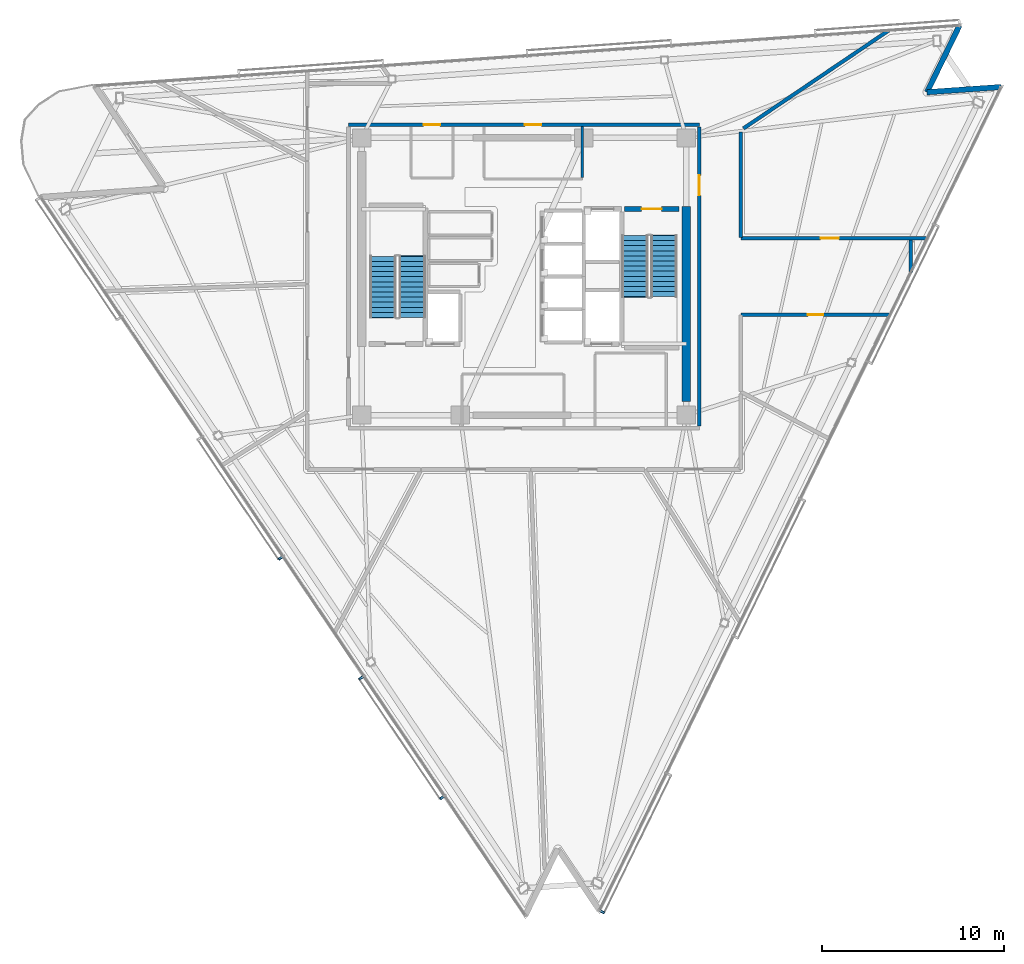
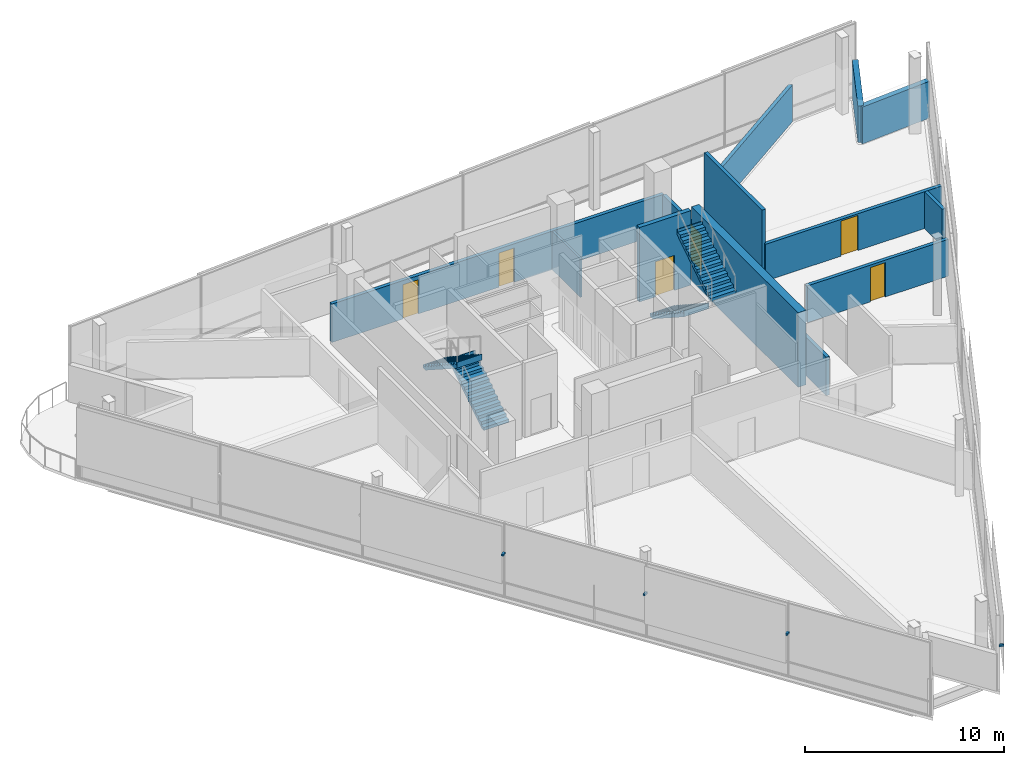
# One storey, part 11 of 16: 12 walls, 6 doors, 4 discrete accessories, 4 stair flights, 6 openings, 2 elements without a shape of their own.
"""IFC4 building model written with IfcOpenShell, lengths in metres."""

from ifc_helpers import new_model, si_unit, direction, frame, frame_2d, origin, origin_2d, place, context, subcontext, project, spatial, polyline, rectangle, outline, extrude, material, layer, layer_set, type_object, element, fill, aggregate, save


model = new_model("IFC4")

# Units and contexts
model_context = context("Model", 3, precision=1e-05, world=origin(), true_north=direction((0.0, 1.0)))
body_context = subcontext(model_context, "Body", "Model", "MODEL_VIEW")
ifc_project = project(units=[si_unit("LENGTHUNIT", "METRE"), si_unit("AREAUNIT", "SQUARE_METRE"), si_unit("VOLUMEUNIT", "CUBIC_METRE"), si_unit("PLANEANGLEUNIT", "RADIAN"), si_unit("MASSUNIT", "GRAM", prefix="KILO")], contexts=[model_context])

# Site, building, storey
site_placement = place(None, origin())
site = spatial("IfcSite", under=ifc_project, at=site_placement, CompositionType="ELEMENT")
building_placement = place(site_placement, origin())
building = spatial("IfcBuilding", under=site, at=building_placement, Name="Tharavind Bronze Gate", CompositionType="ELEMENT")
storey_placement = place(building_placement, frame((0.0, 0.0, 275.0)))
storey = spatial("IfcBuildingStorey", under=building, at=storey_placement, Name="L71", CompositionType="ELEMENT", Elevation=275.0)

# Walls
ifc_material_1 = material(Name="Concrete C40/50", Category="concrete")
ifc_layer_1 = layer(ifc_material_1, 0.300048828125)
ifc_layer_set_1 = layer_set([ifc_layer_1], Name="Concrete C40/50")
wall_type_1 = type_object("IfcWallType", Name="EXTERIOR SPANDREL WALL 300", PredefinedType="STANDARD", material=ifc_layer_set_1)
for number, where, z_axis, x_axis, name in (
    (1, (26.1552734375, 10.388427734375, 0.0), (0.0, 0.0, 1.0), (-0.997565400947, -0.06973715533, 0.0), "L71 notch cheek wall 3A"),
    (2, (22.09716796875, 10.104736328125, 0.0), (0.0, 0.0, 1.0), (0.438405895792, 0.898777097246, 0.0), "L71 notch cheek wall 3B"),
):
    element("IfcWall", number, at=place(storey_placement, frame(where, z_axis=z_axis, x_axis=x_axis)), inside=storey, type_object=wall_type_1, Name=name, PredefinedType="STANDARD", context=body_context, shape_type="SweptSolid", body=[
        extrude(rectangle(XDim=4.068115234375, YDim=0.300048828125, at=frame_2d((2.0341796875, 0.0))), origin(), (0.0, 0.0, 1.0), 2.2548828125),
    ])

# Wall, openings, doors
ifc_material_2 = material(Name="Aerated Concrete Block", Category="concrete")
ifc_layer_2 = layer(ifc_material_2, 0.199951171875)
ifc_layer_set_2 = layer_set([ifc_layer_2], Name="Aerated Concrete Block")
wall_type_2 = type_object("IfcWallType", Name="FIRE RATED PARTITION 200", PredefinedType="PARTITIONING", material=ifc_layer_set_2)
wall_1_placement = place(storey_placement, frame((9.6201171875, 8.320068359375, 0.0), z_axis=(0.0, 0.0, 1.0), x_axis=(-1.0, 0.0, 0.0)))
wall_1 = element("IfcWall", 3, at=wall_1_placement, inside=storey, type_object=wall_type_2, Name="L71 north core corridor wall", PredefinedType="PARTITIONING", context=body_context, shape_type="SweptSolid", body=[
    extrude(rectangle(XDim=19.240234375, YDim=0.199951171875, at=frame_2d((9.6201171875, 0.0))), origin(), (0.0, 0.0, 1.0), 2.35498046875),
])
opening_1_placement = place(wall_1_placement, frame((8.669921875, 0.0, 0.0)))
opening_1 = element("IfcOpeningElement", 4, at=opening_1_placement, cuts=wall_1, Name="Opening ID07", PredefinedType="OPENING", context=body_context, shape_type="SweptSolid", body=[
    extrude(rectangle(XDim=0.89990234375, YDim=2.10009765625, at=frame_2d((0.449951171875, 1.050048828125))), frame((0.0, 0.11009765625, 0.0), z_axis=(0.0, -1.0, 0.0), x_axis=(1.0, 0.0, 0.0)), (0.0, 0.0, 1.0), 0.219951171875),
])
opening_2_placement = place(wall_1_placement, frame((14.219970703125, 0.0, 0.0)))
opening_2 = element("IfcOpeningElement", 5, at=opening_2_placement, cuts=wall_1, Name="Opening ID07", PredefinedType="OPENING", context=body_context, shape_type="SweptSolid", body=[
    extrude(rectangle(XDim=0.89990234375, YDim=2.10009765625, at=frame_2d((0.449951171875, 1.050048828125))), frame((0.0, 0.11009765625, 0.0), z_axis=(0.0, -1.0, 0.0), x_axis=(1.0, 0.0, 0.0)), (0.0, 0.0, 1.0), 0.219951171875),
])
ifc_material_3 = material(Name="Galvanised Fire Steel", Category="steel")
door_type_1 = type_object("IfcDoorType", Name="PLANT AND RISER FIRE DOOR 900X2100", OperationType="SINGLE_SWING_LEFT", PredefinedType="DOOR", material=ifc_material_3)
door_1_placement = place(opening_1_placement, origin())
door_1 = element("IfcDoor", 6, at=door_1_placement, inside=storey, type_object=door_type_1, Name="L71 Core Avionics Room fire door", OperationType="SINGLE_SWING_LEFT", OverallHeight=2.10009765625, OverallWidth=0.89990234375, PredefinedType="DOOR", context=body_context, shape_type="SweptSolid", body=[
    extrude(rectangle(XDim=0.89990234375, YDim=2.10009765625, at=frame_2d((0.449951171875, 1.050048828125))), frame((0.0, 0.02490234375, 0.0), z_axis=(0.0, -1.0, 0.0), x_axis=(1.0, 0.0, 0.0)), (0.0, 0.0, 1.0), 0.050048828125),
])
fill(opening_1, door_1)
door_2_placement = place(opening_2_placement, origin())
door_2 = element("IfcDoor", 7, at=door_2_placement, inside=storey, type_object=door_type_1, Name="L71 Electrical Switch Cupboard fire door", OperationType="SINGLE_SWING_LEFT", OverallHeight=2.10009765625, OverallWidth=0.89990234375, PredefinedType="DOOR", context=body_context, shape_type="SweptSolid", body=[
    extrude(rectangle(XDim=0.89990234375, YDim=2.10009765625, at=frame_2d((0.449951171875, 1.050048828125))), frame((0.0, 0.02490234375, 0.0), z_axis=(0.0, -1.0, 0.0), x_axis=(1.0, 0.0, 0.0)), (0.0, 0.0, 1.0), 0.050048828125),
])
fill(opening_2, door_2)

# Wall, opening, door
wall_2_placement = place(storey_placement, frame((9.6201171875, -8.199951171875, 0.0), z_axis=(0.0, 0.0, 1.0), x_axis=(0.0, 1.0, 0.0)))
wall_2 = element("IfcWall", 8, at=wall_2_placement, inside=storey, type_object=wall_type_2, Name="L71 east core corridor wall", PredefinedType="PARTITIONING", context=body_context, shape_type="SweptSolid", body=[
    extrude(rectangle(XDim=16.39990234375, YDim=0.199951171875, at=frame_2d((8.199951171875, 0.0))), origin(), (0.0, 0.0, 1.0), 2.35498046875),
])
opening_3_placement = place(wall_2_placement, frame((12.64990234375, 0.0, 0.0)))
opening_3 = element("IfcOpeningElement", 9, at=opening_3_placement, cuts=wall_2, Name="Opening ID01", PredefinedType="OPENING", context=body_context, shape_type="SweptSolid", body=[
    extrude(rectangle(XDim=1.10009765625, YDim=2.14990234375, at=frame_2d((0.550048828125, 1.074951171875))), frame((0.0, 0.11009765625, 0.0), z_axis=(0.0, -1.0, 0.0), x_axis=(1.0, 0.0, 0.0)), (0.0, 0.0, 1.0), 0.219951171875),
])
ifc_material_4 = material(Name="Fire-Rated Steel", Category="steel")
door_type_2 = type_object("IfcDoorType", Name="STAIR CORE FIRE DOOR 1100X2150", OperationType="SINGLE_SWING_LEFT", PredefinedType="DOOR", material=ifc_material_4)
door_3_placement = place(opening_3_placement, frame((1.10009765625, 0.0, 0.0), z_axis=(0.0, 0.0, 1.0), x_axis=(-1.0, 0.0, 0.0)))
door_3 = element("IfcDoor", 10, at=door_3_placement, inside=storey, type_object=door_type_2, Name="L71 north east stair lobby fire door", OperationType="SINGLE_SWING_LEFT", OverallHeight=2.14990234375, OverallWidth=1.10009765625, PredefinedType="DOOR", context=body_context, shape_type="SweptSolid", body=[
    extrude(rectangle(XDim=1.10009765625, YDim=2.14990234375, at=frame_2d((0.550048828125, 1.074951171875))), frame((0.0, 0.02490234375, 0.0), z_axis=(0.0, -1.0, 0.0), x_axis=(1.0, 0.0, 0.0)), (0.0, 0.0, 1.0), 0.050048828125),
])
fill(opening_3, door_3)

wall_3_placement = place(storey_placement, frame((11.905029296875, -2.10009765625, 0.0), z_axis=(0.0, 0.0, 1.0), x_axis=(1.0, 0.0, 0.0)))
wall_3 = element("IfcWall", 11, at=wall_3_placement, inside=storey, type_object=wall_type_2, Name="L71 Public Restrooms Block partition", PredefinedType="PARTITIONING", context=body_context, shape_type="SweptSolid", body=[
    extrude(rectangle(XDim=8.1591796875, YDim=0.199951171875, at=frame_2d((4.07958984375, 0.0))), origin(), (0.0, 0.0, 1.0), 2.2548828125),
])
opening_4_placement = place(wall_3_placement, frame((3.655029296875, 0.0, 0.0)))
opening_4 = element("IfcOpeningElement", 12, at=opening_4_placement, cuts=wall_3, Name="Opening ID06", PredefinedType="OPENING", context=body_context, shape_type="SweptSolid", body=[
    extrude(rectangle(XDim=0.85009765625, YDim=2.10009765625, at=frame_2d((0.425048828125, 1.050048828125))), frame((0.0, 0.11009765625, 0.0), z_axis=(0.0, -1.0, 0.0), x_axis=(1.0, 0.0, 0.0)), (0.0, 0.0, 1.0), 0.219951171875),
])
ifc_material_5 = material(Name="Moisture-Resistant Timber", Category="wood")
door_type_3 = type_object("IfcDoorType", Name="BATHROOM PRIVACY DOOR 850X2100", OperationType="SINGLE_SWING_RIGHT", PredefinedType="DOOR", material=ifc_material_5)
door_4_placement = place(opening_4_placement, origin())
door_4 = element("IfcDoor", 13, at=door_4_placement, inside=storey, type_object=door_type_3, Name="L71 Public Restrooms Block door", OperationType="SINGLE_SWING_RIGHT", OverallHeight=2.10009765625, OverallWidth=0.85009765625, PredefinedType="DOOR", context=body_context, shape_type="SweptSolid", body=[
    extrude(rectangle(XDim=0.85009765625, YDim=2.10009765625, at=frame_2d((0.425048828125, 1.050048828125))), frame((0.0, 0.02490234375, 0.0), z_axis=(0.0, -1.0, 0.0), x_axis=(1.0, 0.0, 0.0)), (0.0, 0.0, 1.0), 0.050048828125),
])
fill(opening_4, door_4)

wall_4_placement = place(storey_placement, frame((22.11279296875, 2.10009765625, 0.0), z_axis=(0.0, 0.0, 1.0), x_axis=(-1.0, 0.0, 0.0)))
wall_4 = element("IfcWall", 14, at=wall_4_placement, inside=storey, type_object=wall_type_2, Name="L71 Diplomatic Chancery Office partition", PredefinedType="PARTITIONING", context=body_context, shape_type="SweptSolid", body=[
    extrude(rectangle(XDim=10.207763671875, YDim=0.199951171875, at=frame_2d((5.10400390625, 0.0))), origin(), (0.0, 0.0, 1.0), 2.2548828125),
])
opening_5_placement = place(wall_4_placement, frame((4.85009765625, 0.0, 0.0)))
opening_5 = element("IfcOpeningElement", 15, at=opening_5_placement, cuts=wall_4, Name="Opening ID04", PredefinedType="OPENING", context=body_context, shape_type="SweptSolid", body=[
    extrude(rectangle(XDim=1.0, YDim=2.14990234375, at=frame_2d((0.5, 1.074951171875))), frame((0.0, 0.11009765625, 0.0), z_axis=(0.0, -1.0, 0.0), x_axis=(1.0, 0.0, 0.0)), (0.0, 0.0, 1.0), 0.219951171875),
])
ifc_material_6 = material(Name="Bronze Framed Acoustic Timber", Category="wood")
door_type_4 = type_object("IfcDoorType", Name="OFFICE TENANCY DOOR 1000X2150", OperationType="SINGLE_SWING_RIGHT", PredefinedType="DOOR", material=ifc_material_6)
door_5_placement = place(opening_5_placement, origin())
door_5 = element("IfcDoor", 16, at=door_5_placement, inside=storey, type_object=door_type_4, Name="L71 Diplomatic Chancery Office door", OperationType="SINGLE_SWING_RIGHT", OverallHeight=2.14990234375, OverallWidth=1.0, PredefinedType="DOOR", context=body_context, shape_type="SweptSolid", body=[
    extrude(rectangle(XDim=1.0, YDim=2.14990234375, at=frame_2d((0.5, 1.074951171875))), frame((0.0, 0.02490234375, 0.0), z_axis=(0.0, -1.0, 0.0), x_axis=(1.0, 0.0, 0.0)), (0.0, 0.0, 1.0), 0.050048828125),
])
fill(opening_5, door_5)

# Walls
wall_5_placement = place(storey_placement, frame((11.8798828125, 2.125, 0.0), z_axis=(0.0, 0.0, 1.0), x_axis=(0.0, 1.0, 0.0)))
element("IfcWall", 17, at=wall_5_placement, inside=storey, type_object=wall_type_2, Name="L71 Diplomatic Chancery Office partition", PredefinedType="PARTITIONING", context=body_context, shape_type="SweptSolid", body=[
    extrude(rectangle(XDim=5.811279296875, YDim=0.199951171875, at=frame_2d((2.90576171875, 0.0))), origin(), (0.0, 0.0, 1.0), 4.31494140625),
])
wall_6_placement = place(storey_placement, frame((12.03369140625, 8.11669921875, 0.0), z_axis=(0.0, 0.0, 1.0), x_axis=(0.829033749514, 0.55919857132, 0.0)))
element("IfcWall", 18, at=wall_6_placement, inside=storey, type_object=wall_type_2, Name="L71 Diplomatic Chancery Office partition", PredefinedType="PARTITIONING", context=body_context, shape_type="SweptSolid", body=[
    extrude(rectangle(XDim=9.6015625, YDim=0.199951171875, at=frame_2d((4.80078125, 0.0))), origin(), (0.0, 0.0, 1.0), 2.2548828125),
])
wall_7_placement = place(storey_placement, frame((21.199951171875, 0.228759765625, 0.0), z_axis=(0.0, 0.0, 1.0), x_axis=(0.0, 1.0, 0.0)))
element("IfcWall", 19, at=wall_7_placement, inside=storey, type_object=wall_type_2, Name="L71 Diplomatic Chancery Office partition", PredefinedType="PARTITIONING", context=body_context, shape_type="SweptSolid", body=[
    extrude(rectangle(XDim=1.766357421875, YDim=0.199951171875, at=frame_2d((0.88330078125, 0.0))), origin(), (0.0, 0.0, 1.0), 2.2548828125),
])
ifc_material_7 = material(Name="Metal Stud Gypsum Partition", Category="gypsum")
ifc_layer_3 = layer(ifc_material_7, 0.1201171875)
ifc_layer_set_3 = layer_set([ifc_layer_3], Name="Metal Stud Gypsum Partition")
wall_type_3 = type_object("IfcWallType", Name="INTERIOR PARTITION WALL 120", PredefinedType="PARTITIONING", material=ifc_layer_set_3)
wall_8_placement = place(storey_placement, frame((3.199951171875, 5.4150390625, 0.0), z_axis=(0.0, 0.0, 1.0), x_axis=(0.0, 1.0, 0.0)))
element("IfcWall", 20, at=wall_8_placement, inside=storey, type_object=wall_type_3, Name="L71 Core Avionics Room partition 2", PredefinedType="PARTITIONING", context=body_context, shape_type="SweptSolid", body=[
    extrude(rectangle(XDim=2.800048828125, YDim=0.1201171875, at=frame_2d((1.39990234375, 0.0))), origin(), (0.0, 0.0, 1.0), 2.35498046875),
])

# Wall, opening, door
ifc_material_8 = material(Name="Concrete C50/60", Category="concrete")
ifc_layer_4 = layer(ifc_material_8, 0.25)
ifc_layer_set_4 = layer_set([ifc_layer_4], Name="Concrete C50/60")
wall_type_4 = type_object("IfcWallType", Name="RC CORE SHEAR WALL 250", PredefinedType="SHEAR", material=ifc_layer_set_4)
wall_9_placement = place(storey_placement, frame((5.5, 3.699951171875, 0.0), z_axis=(0.0, 0.0, 1.0), x_axis=(1.0, 0.0, 0.0)))
wall_9 = element("IfcWall", 21, at=wall_9_placement, inside=storey, type_object=wall_type_4, Name="L71 ST2 shaft north wall", PredefinedType="SHEAR", context=body_context, shape_type="SweptSolid", body=[
    extrude(rectangle(XDim=3.0, YDim=0.25, at=frame_2d((1.5, 0.0))), origin(), (0.0, 0.0, 1.0), 4.56005859375),
])
opening_6_placement = place(wall_9_placement, frame((0.949951171875, 0.0, 0.0)))
opening_6 = element("IfcOpeningElement", 22, at=opening_6_placement, cuts=wall_9, Name="Opening ID01", PredefinedType="OPENING", context=body_context, shape_type="SweptSolid", body=[
    extrude(rectangle(XDim=1.10009765625, YDim=2.14990234375, at=frame_2d((0.550048828125, 1.074951171875))), frame((0.0, 0.135, 0.0), z_axis=(0.0, -1.0, 0.0), x_axis=(1.0, 0.0, 0.0)), (0.0, 0.0, 1.0), 0.27),
])
door_6_placement = place(opening_6_placement, frame((1.10009765625, 0.0, 0.0), z_axis=(0.0, 0.0, 1.0), x_axis=(-1.0, 0.0, 0.0)))
door_6 = element("IfcDoor", 23, at=door_6_placement, inside=storey, type_object=door_type_2, Name="L71 exit stair ST2 fire door", OperationType="SINGLE_SWING_LEFT", OverallHeight=2.14990234375, OverallWidth=1.10009765625, PredefinedType="DOOR", context=body_context, shape_type="SweptSolid", body=[
    extrude(rectangle(XDim=1.10009765625, YDim=2.14990234375, at=frame_2d((0.550048828125, 1.074951171875))), frame((0.0, 0.02490234375, 0.0), z_axis=(0.0, -1.0, 0.0), x_axis=(1.0, 0.0, 0.0)), (0.0, 0.0, 1.0), 0.050048828125),
])
fill(opening_6, door_6)

# Wall
ifc_material_9 = material(Name="Concrete C60/75", Category="concrete")
ifc_layer_5 = layer(ifc_material_9, 0.449951171875)
ifc_layer_set_5 = layer_set([ifc_layer_5], Name="Concrete C60/75")
wall_type_5 = type_object("IfcWallType", Name="RC CORE SHEAR WALL 450", PredefinedType="SHEAR", material=ifc_layer_set_5)
wall_10_placement = place(storey_placement, frame((8.89990234375, -6.85009765625, 0.0), z_axis=(0.0, 0.0, 1.0), x_axis=(0.0, 1.0, 0.0)))
element("IfcWall", 24, at=wall_10_placement, inside=storey, type_object=wall_type_5, Name="L71 east core shear wall", PredefinedType="SHEAR", context=body_context, shape_type="SweptSolid", body=[
    extrude(rectangle(XDim=10.7001953125, YDim=0.449951171875, at=frame_2d((5.35009765625, 0.0))), origin(), (0.0, 0.0, 1.0), 4.56005859375),
])

# Stair, stair flights
stair_type = type_object("IfcStairType", Name="CORE HALF TURN STAIR 1450", PredefinedType="HALF_TURN_STAIR", material=ifc_material_1)
stair_1_placement = place(storey_placement, origin())
stair_1 = element("IfcStair", 25, at=stair_1_placement, inside=storey, type_object=stair_type, Name="L71 Protected Exit Stair ST1", PredefinedType="HALF_TURN_STAIR")
stair_flight_type = type_object("IfcStairFlightType", Name="CORE STAIR FLIGHT 1450", PredefinedType="STRAIGHT", material=ifc_material_1)
stair_flight_1_placement = place(storey_placement, frame((-6.125, -2.25, 0.0), z_axis=(0.0, 0.0, 1.0), x_axis=(0.0, 1.0, 0.0)))
stair_flight_1 = element("IfcStairFlight", 26, at=stair_flight_1_placement, type_object=stair_flight_type, Name="ST1 flight 1", NumberOfRisers=13, NumberOfTreads=12, PredefinedType="STRAIGHT", RiserHeight=0.182692308, TreadLength=0.28, context=body_context, shape_type="SweptSolid", body=[
    extrude(outline(polyline([(0.0, 0.0), (0.0, 0.1826171875), (0.280029296875, 0.1826171875), (0.280029296875, 0.365478515625), (0.56005859375, 0.365478515625), (0.56005859375, 0.548095703125), (0.840087890625, 0.548095703125), (0.840087890625, 0.730712890625), (1.1201171875, 0.730712890625), (1.1201171875, 0.91357421875), (1.39990234375, 0.91357421875), (1.39990234375, 1.09619140625), (1.679931640625, 1.09619140625), (1.679931640625, 1.27880859375), (1.9599609375, 1.27880859375), (1.9599609375, 1.46142578125), (2.239990234375, 1.46142578125), (2.239990234375, 1.644287109375), (2.52001953125, 1.644287109375), (2.52001953125, 1.826904296875), (2.800048828125, 1.826904296875), (2.800048828125, 2.009521484375), (3.080078125, 2.009521484375), (3.080078125, 2.1923828125), (3.360107421875, 2.1923828125), (3.360107421875, 2.375), (3.39599609375, 2.375), (3.39599609375, 2.013427734375), (0.2744140625, 0.0), (0.0, 0.0)])), frame((0.0, 0.72509765625, 0.0), z_axis=(0.0, -1.0, 0.0), x_axis=(1.0, 0.0, 0.0)), (0.0, 0.0, 1.0), 1.449951171875),
])
stair_flight_2_placement = place(storey_placement, frame((-7.72509765625, 1.110107421875, 2.375), z_axis=(0.0, 0.0, 1.0), x_axis=(0.0, -1.0, 0.0)))
stair_flight_2 = element("IfcStairFlight", 27, at=stair_flight_2_placement, type_object=stair_flight_type, Name="ST1 flight 2", NumberOfRisers=13, NumberOfTreads=12, PredefinedType="STRAIGHT", RiserHeight=0.182692308, TreadLength=0.28, context=body_context, shape_type="SweptSolid", body=[
    extrude(outline(polyline([(0.0, 0.0), (0.0, 0.1826171875), (0.280029296875, 0.1826171875), (0.280029296875, 0.365478515625), (0.56005859375, 0.365478515625), (0.56005859375, 0.548095703125), (0.840087890625, 0.548095703125), (0.840087890625, 0.730712890625), (1.1201171875, 0.730712890625), (1.1201171875, 0.91357421875), (1.39990234375, 0.91357421875), (1.39990234375, 1.09619140625), (1.679931640625, 1.09619140625), (1.679931640625, 1.27880859375), (1.9599609375, 1.27880859375), (1.9599609375, 1.46142578125), (2.239990234375, 1.46142578125), (2.239990234375, 1.644287109375), (2.52001953125, 1.644287109375), (2.52001953125, 1.826904296875), (2.800048828125, 1.826904296875), (2.800048828125, 2.009521484375), (3.080078125, 2.009521484375), (3.080078125, 2.1923828125), (3.360107421875, 2.1923828125), (3.360107421875, 2.375), (3.39599609375, 2.375), (3.39599609375, 2.013427734375), (0.2744140625, 0.0), (0.0, 0.0)])), frame((0.0, 0.72509765625, 0.0), z_axis=(0.0, -1.0, 0.0), x_axis=(1.0, 0.0, 0.0)), (0.0, 0.0, 1.0), 1.449951171875),
])
aggregate(stair_1, [stair_flight_1, stair_flight_2])

stair_2_placement = place(storey_placement, origin())
stair_2 = element("IfcStair", 28, at=stair_2_placement, inside=storey, type_object=stair_type, Name="L71 Protected Exit Stair ST2", PredefinedType="HALF_TURN_STAIR")
stair_flight_3_placement = place(storey_placement, frame((6.074951171875, 2.25, 0.0), z_axis=(0.0, 0.0, 1.0), x_axis=(0.0, -1.0, 0.0)))
stair_flight_3 = element("IfcStairFlight", 29, at=stair_flight_3_placement, type_object=stair_flight_type, Name="ST2 flight 1", NumberOfRisers=13, NumberOfTreads=12, PredefinedType="STRAIGHT", RiserHeight=0.182692308, TreadLength=0.28, context=body_context, shape_type="SweptSolid", body=[
    extrude(outline(polyline([(0.0, 0.0), (0.0, 0.1826171875), (0.280029296875, 0.1826171875), (0.280029296875, 0.365478515625), (0.56005859375, 0.365478515625), (0.56005859375, 0.548095703125), (0.840087890625, 0.548095703125), (0.840087890625, 0.730712890625), (1.1201171875, 0.730712890625), (1.1201171875, 0.91357421875), (1.39990234375, 0.91357421875), (1.39990234375, 1.09619140625), (1.679931640625, 1.09619140625), (1.679931640625, 1.27880859375), (1.9599609375, 1.27880859375), (1.9599609375, 1.46142578125), (2.239990234375, 1.46142578125), (2.239990234375, 1.644287109375), (2.52001953125, 1.644287109375), (2.52001953125, 1.826904296875), (2.800048828125, 1.826904296875), (2.800048828125, 2.009521484375), (3.080078125, 2.009521484375), (3.080078125, 2.1923828125), (3.360107421875, 2.1923828125), (3.360107421875, 2.375), (3.39599609375, 2.375), (3.39599609375, 2.013427734375), (0.2744140625, 0.0), (0.0, 0.0)])), frame((0.0, 0.72509765625, 0.0), z_axis=(0.0, -1.0, 0.0), x_axis=(1.0, 0.0, 0.0)), (0.0, 0.0, 1.0), 1.449951171875),
])
stair_flight_4_placement = place(storey_placement, frame((7.675048828125, -1.110107421875, 2.375), z_axis=(0.0, 0.0, 1.0), x_axis=(0.0, 1.0, 0.0)))
stair_flight_4 = element("IfcStairFlight", 30, at=stair_flight_4_placement, type_object=stair_flight_type, Name="ST2 flight 2", NumberOfRisers=13, NumberOfTreads=12, PredefinedType="STRAIGHT", RiserHeight=0.182692308, TreadLength=0.28, context=body_context, shape_type="SweptSolid", body=[
    extrude(outline(polyline([(0.0, 0.0), (0.0, 0.1826171875), (0.280029296875, 0.1826171875), (0.280029296875, 0.365478515625), (0.56005859375, 0.365478515625), (0.56005859375, 0.548095703125), (0.840087890625, 0.548095703125), (0.840087890625, 0.730712890625), (1.1201171875, 0.730712890625), (1.1201171875, 0.91357421875), (1.39990234375, 0.91357421875), (1.39990234375, 1.09619140625), (1.679931640625, 1.09619140625), (1.679931640625, 1.27880859375), (1.9599609375, 1.27880859375), (1.9599609375, 1.46142578125), (2.239990234375, 1.46142578125), (2.239990234375, 1.644287109375), (2.52001953125, 1.644287109375), (2.52001953125, 1.826904296875), (2.800048828125, 1.826904296875), (2.800048828125, 2.009521484375), (3.080078125, 2.009521484375), (3.080078125, 2.1923828125), (3.360107421875, 2.1923828125), (3.360107421875, 2.375), (3.39599609375, 2.375), (3.39599609375, 2.013427734375), (0.2744140625, 0.0), (0.0, 0.0)])), frame((0.0, 0.72509765625, 0.0), z_axis=(0.0, -1.0, 0.0), x_axis=(1.0, 0.0, 0.0)), (0.0, 0.0, 1.0), 1.449951171875),
])
aggregate(stair_2, [stair_flight_3, stair_flight_4])

# Discrete accessories
ifc_material_10 = material(Name="Stainless Steel 316", Category="steel")
discrete_accessory_type = type_object("IfcDiscreteAccessoryType", Name="SOLAR SCREEN STANDOFF BRACKET", PredefinedType="BRACKET", material=ifc_material_10)
for number, where, z_axis, x_axis, name in (
    (31, (-13.3603515625, -15.447265625, 2.669921875), (0.0, 0.0, 1.0), (0.559191456526, -0.82903854853, 0.0), "CW-L71-S1 solar screen bracket 3.2"),
    (32, (-8.931396484375, -22.013427734375, 2.669921875), (0.0, 0.0, 1.0), (0.559191456526, -0.82903854853, 0.0), "CW-L71-S1 solar screen bracket 5.1"),
    (33, (-4.502197265625, -28.579833984375, 2.669921875), (0.0, 0.0, 1.0), (0.559191456526, -0.82903854853, 0.0), "CW-L71-S1 solar screen bracket 5.2"),
    (34, (4.2958984375, -34.840576171875, 2.669921875), (0.0, 0.0, 1.0), (0.43837271548, 0.898793281196, 0.0), "CW-L71-S2 solar screen bracket 1.1"),
):
    element("IfcDiscreteAccessory", number, at=place(storey_placement, frame(where, z_axis=z_axis, x_axis=x_axis)), inside=storey, type_object=discrete_accessory_type, Name=name, PredefinedType="BRACKET", context=body_context, shape_type="SweptSolid", body=[
        extrude(rectangle(XDim=0.1201171875, YDim=0.239990234375, at=origin_2d()), origin(), (0.0, 0.0, 1.0), 0.1201171875),
    ])

save(model, "model.ifc")
